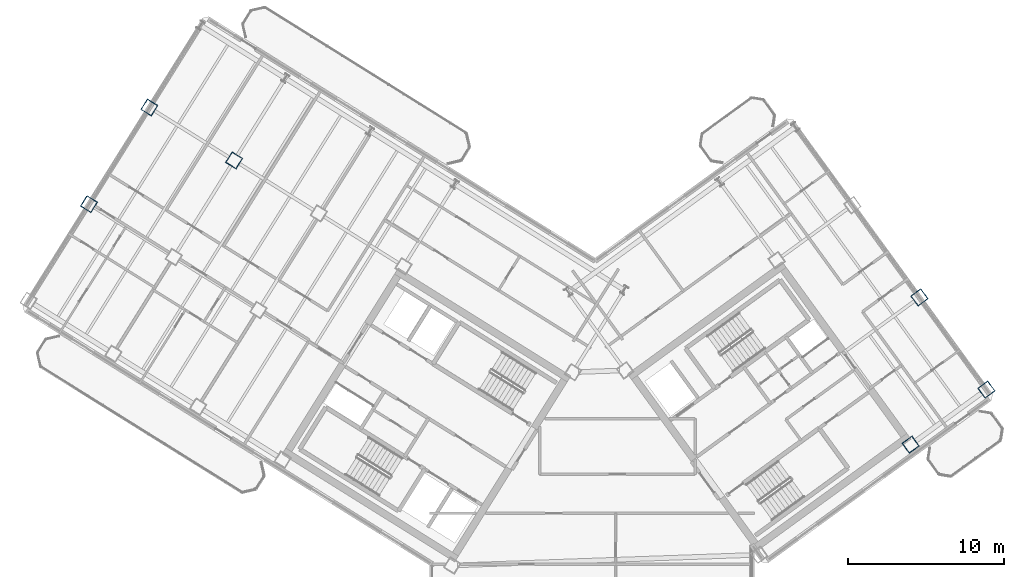
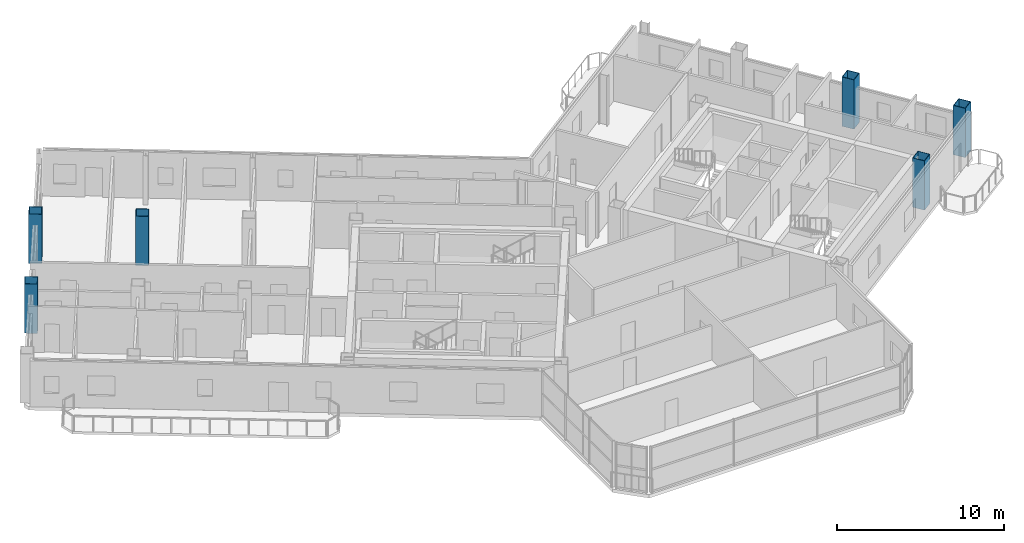
# One storey, part 2 of 21: 6 columns.
"""IFC4 building model written with IfcOpenShell, lengths in metres."""

from ifc_helpers import new_model, si_unit, direction, frame, origin, origin_2d, place, context, subcontext, project, spatial, hollow_rectangle, extrude, source, transform, mapped, material, material_profile, profile_set, type_object, element, save


model = new_model("IFC4")

# Units and contexts
model_context = context("Model", 3, precision=1e-05, world=origin(), true_north=direction((0.0, 1.0)))
body_context = subcontext(model_context, "Body", "Model", "MODEL_VIEW")
ifc_project = project(units=[si_unit("LENGTHUNIT", "METRE"), si_unit("AREAUNIT", "SQUARE_METRE"), si_unit("VOLUMEUNIT", "CUBIC_METRE"), si_unit("PLANEANGLEUNIT", "RADIAN"), si_unit("MASSUNIT", "GRAM", prefix="KILO")], contexts=[model_context])

# Site, building, storey
site_placement = place(None, origin())
site = spatial("IfcSite", under=ifc_project, at=site_placement, CompositionType="ELEMENT")
building_placement = place(site_placement, origin())
building = spatial("IfcBuilding", under=site, at=building_placement, Name="Tlacorven Tower", CompositionType="ELEMENT")
storey_placement = place(building_placement, frame((0.0, 0.0, 207.60009765625)))
storey = spatial("IfcBuildingStorey", under=building, at=storey_placement, Name="L52", CompositionType="ELEMENT", Elevation=207.60009765625)

# Columns
ifc_material = material(Name="Steel S460M", Category="steel")
ifc_material_profile = material_profile(ifc_material, hollow_rectangle(XDim=0.800048828125, YDim=0.800048828125, WallThickness=0.031982421875, at=origin_2d()), Name="BOX 800X800X32")
ifc_profile_set = profile_set([ifc_material_profile], Name="Steel S460M")
column_type = type_object("IfcColumnType", Name="COL-TWR-S3", PredefinedType="COLUMN", material=ifc_profile_set)
shared_shape = source(origin(), body_context, "Body", "SweptSolid", [
    extrude(hollow_rectangle(XDim=0.800048828125, YDim=0.800048828125, WallThickness=0.031982421875, at=origin_2d()), origin(), (0.0, 0.0, 1.0), 3.599853515625),
])
for number, where, z_axis, x_axis, name in (
    (1, (19.072998046875, 38.034423828125, 0.0), (0.0, 0.0, 1.0), (-0.848048096156, 0.529919264233, 0.0), "L52 column COL-L52-W5-2"),
    (2, (13.6455078125, 41.42578125, 0.0), (0.0, 0.0, 1.0), (-0.848048096156, 0.529919264233, 0.0), "L52 column COL-L52-W6-2"),
    (3, (9.777099609375, 35.235107421875, 0.0), (0.0, 0.0, 1.0), (-0.848048096156, 0.529919264233, 0.0), "L52 column COL-L52-W6-3"),
    (4, (62.41357421875, 19.826904296875, 0.0), (0.0, 0.0, 1.0), (0.809016994375, 0.587785252292, 0.0), "L52 column COL-L52-E3-1"),
    (5, (67.267822265625, 23.353515625, 0.0), (0.0, 0.0, 1.0), (0.809016994375, 0.587785252292, 0.0), "L52 column COL-L52-E4-1"),
    (6, (62.976806640625, 29.25927734375, 0.0), (0.0, 0.0, 1.0), (0.809016994375, 0.587785252292, 0.0), "L52 column COL-L52-E4-2"),
):
    element("IfcColumn", number, at=place(storey_placement, frame(where, z_axis=z_axis, x_axis=x_axis)), inside=storey, type_object=column_type, Name=name, PredefinedType="COLUMN", context=body_context, shape_type="MappedRepresentation", body=[
        mapped(shared_shape, transform((0.0, 0.0, 0.0), scale=1.0)),
    ])

save(model, "model.ifc")
